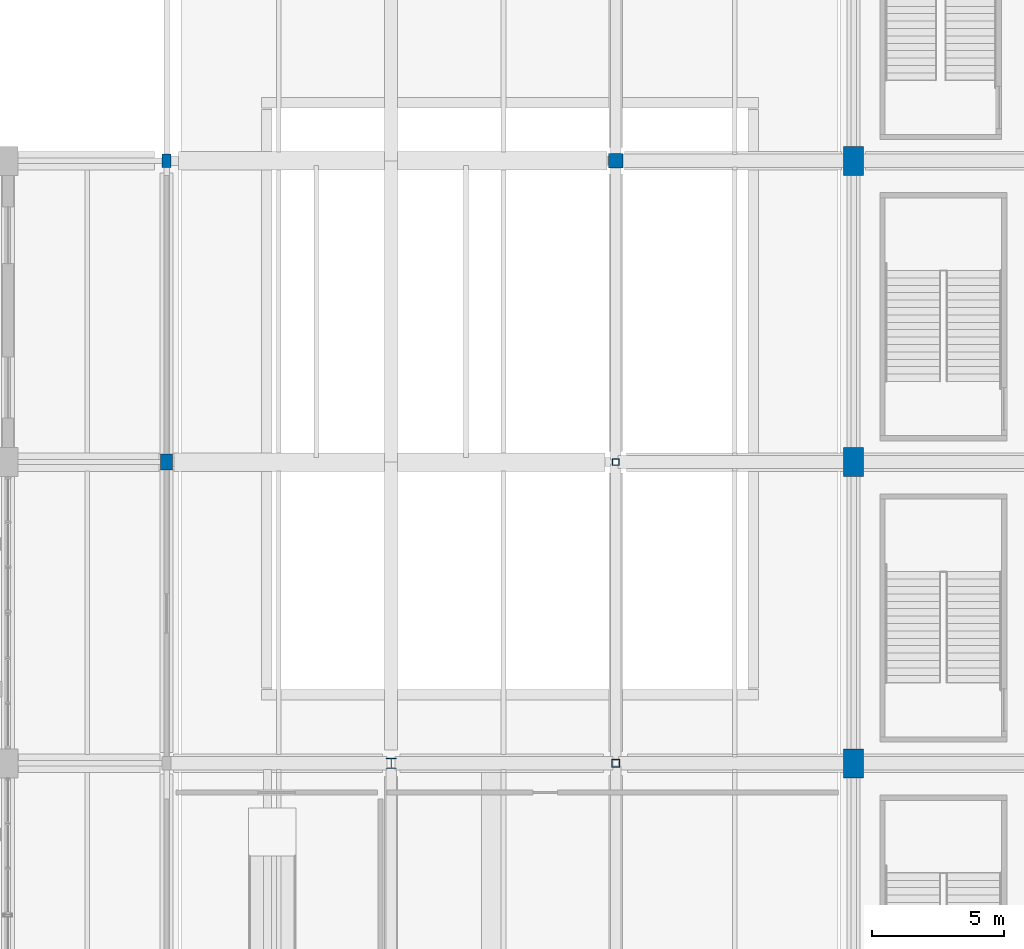
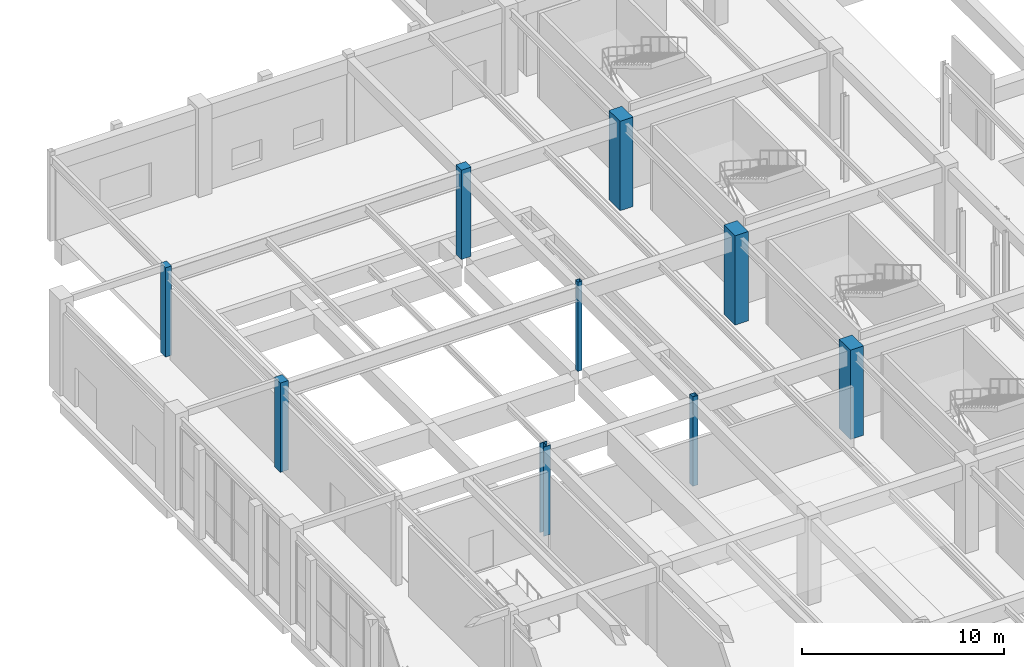
# One storey, part 15 of 113: 9 columns.
"""IFC4 building model written with IfcOpenShell, lengths in metres."""

from ifc_helpers import new_model, si_unit, direction, frame, origin, origin_2d, place, context, subcontext, project, spatial, rectangle, hollow_rectangle, i_section, extrude, material, material_profile, profile_set, type_object, element, save


model = new_model("IFC4")

# Units and contexts
model_context = context("Model", 3, precision=1e-05, world=origin(), true_north=direction((0.0, 1.0)))
body_context = subcontext(model_context, "Body", "Model", "MODEL_VIEW")
ifc_project = project(units=[si_unit("LENGTHUNIT", "METRE"), si_unit("AREAUNIT", "SQUARE_METRE"), si_unit("VOLUMEUNIT", "CUBIC_METRE"), si_unit("PLANEANGLEUNIT", "RADIAN"), si_unit("MASSUNIT", "GRAM", prefix="KILO"), si_unit("POWERUNIT", "WATT"), si_unit("THERMODYNAMICTEMPERATUREUNIT", "KELVIN")], contexts=[model_context])

# Site, building, storey
site_placement = place(None, origin())
site = spatial("IfcSite", under=ifc_project, at=site_placement, CompositionType="ELEMENT")
building_placement = place(site_placement, origin())
building = spatial("IfcBuilding", under=site, at=building_placement, Name="Kelmbourne Parkland Aquatics Centre", CompositionType="ELEMENT")
storey_placement = place(building_placement, origin())
storey = spatial("IfcBuildingStorey", under=building, at=storey_placement, Name="L00", CompositionType="ELEMENT", Elevation=0.0)

# Columns
ifc_material_1 = material(Name="Concrete C40/50", Category="concrete")
ifc_material_profile_1 = material_profile(ifc_material_1, rectangle(XDim=0.75, YDim=1.10009765625, at=origin_2d()), Name="RC 750x1100")
ifc_profile_set_1 = profile_set([ifc_material_profile_1], Name="Concrete C40/50")
column_type_1 = type_object("IfcColumnType", Name="COL-C03", PredefinedType="COLUMN", material=ifc_profile_set_1)
for number, where, z_axis, x_axis, name in (
    (1, (128.0, 69.199951171875, 0.0), (0.0, 0.0, 1.0), (1.0, 0.0, 0.0), "Structural column P-10 (L00)"),
    (2, (128.0, 80.60009765625, 0.0), (0.0, 0.0, 1.0), (1.0, 0.0, 0.0), "Structural column P-11 (L00)"),
    (3, (128.0, 92.0, 0.0), (0.0, 0.0, 1.0), (1.0, 0.0, 0.0), "Structural column P-12 (L00)"),
):
    element("IfcColumn", number, at=place(storey_placement, frame(where, z_axis=z_axis, x_axis=x_axis)), inside=storey, type_object=column_type_1, Name=name, PredefinedType="COLUMN", context=body_context, shape_type="SweptSolid", body=[
        extrude(rectangle(XDim=0.75, YDim=1.10009765625, at=origin_2d()), origin(), (0.0, 0.0, 1.0), 5.39990234375),
    ])
ifc_material_profile_2 = material_profile(ifc_material_1, rectangle(XDim=0.550048828125, YDim=0.550048828125, at=origin_2d()), Name="RC 550x550")
ifc_profile_set_2 = profile_set([ifc_material_profile_2], Name="Concrete C40/50")
column_type_2 = type_object("IfcColumnType", Name="COL-C07", PredefinedType="COLUMN", material=ifc_profile_set_2)
column_1_placement = place(storey_placement, frame((119.0, 92.0, 0.0), z_axis=(0.0, 0.0, 1.0), x_axis=(1.0, 0.0, 0.0)))
element("IfcColumn", 4, at=column_1_placement, inside=storey, type_object=column_type_2, Name="Structural column O-12 (L00)", PredefinedType="COLUMN", context=body_context, shape_type="SweptSolid", body=[
    extrude(rectangle(XDim=0.550048828125, YDim=0.550048828125, at=origin_2d()), origin(), (0.0, 0.0, 1.0), 5.39990234375),
])
ifc_material_2 = material(Name="Welded plate steel AS/NZS 3678 Grade 350", Category="steel")
ifc_material_profile_3 = material_profile(ifc_material_2, i_section(OverallWidth=0.39990234375, OverallDepth=0.404052734375, WebThickness=0.02001953125, FlangeThickness=0.031982421875, at=origin_2d()), Name="400WC270")
ifc_profile_set_3 = profile_set([ifc_material_profile_3], Name="Welded plate steel AS/NZS 3678 Grade 350")
column_type_3 = type_object("IfcColumnType", Name="COL-C12", PredefinedType="COLUMN", material=ifc_profile_set_3)
column_2_placement = place(storey_placement, frame((110.5, 69.199951171875, 0.0), z_axis=(0.0, 0.0, 1.0), x_axis=(1.0, 0.0, 0.0)))
element("IfcColumn", 5, at=column_2_placement, inside=storey, type_object=column_type_3, Name="Structural column N-10 (L00)", PredefinedType="COLUMN", context=body_context, shape_type="SweptSolid", body=[
    extrude(i_section(OverallWidth=0.39990234375, OverallDepth=0.404052734375, WebThickness=0.02001953125, FlangeThickness=0.031982421875, at=origin_2d()), origin(), (0.0, 0.0, 1.0), 5.39990234375),
])
ifc_material_3 = material(Name="Cold-formed hollow steel AS/NZS 1163 C350L0", Category="steel")
ifc_material_profile_4 = material_profile(ifc_material_3, hollow_rectangle(XDim=0.300048828125, YDim=0.300048828125, WallThickness=0.012451171875, at=origin_2d()), Name="SHS 300x300x12.5")
ifc_profile_set_4 = profile_set([ifc_material_profile_4], Name="Cold-formed hollow steel AS/NZS 1163 C350L0")
column_type_4 = type_object("IfcColumnType", Name="COL-C22", PredefinedType="COLUMN", material=ifc_profile_set_4)
column_3_placement = place(storey_placement, frame((119.0, 69.199951171875, 0.0), z_axis=(0.0, 0.0, 1.0), x_axis=(1.0, 0.0, 0.0)))
element("IfcColumn", 6, at=column_3_placement, inside=storey, type_object=column_type_4, Name="Structural column O-10 (L00)", PredefinedType="COLUMN", context=body_context, shape_type="SweptSolid", body=[
    extrude(hollow_rectangle(XDim=0.300048828125, YDim=0.300048828125, WallThickness=0.012451171875, at=origin_2d()), origin(), (0.0, 0.0, 1.0), 5.39990234375),
])
ifc_material_profile_5 = material_profile(ifc_material_3, hollow_rectangle(XDim=0.25, YDim=0.25, WallThickness=0.012451171875, at=origin_2d()), Name="SHS 250x250x12.5")
ifc_profile_set_5 = profile_set([ifc_material_profile_5], Name="Cold-formed hollow steel AS/NZS 1163 C350L0")
column_type_5 = type_object("IfcColumnType", Name="COL-C23", PredefinedType="COLUMN", material=ifc_profile_set_5)
column_4_placement = place(storey_placement, frame((119.0, 80.60009765625, 0.0), z_axis=(0.0, 0.0, 1.0), x_axis=(1.0, 0.0, 0.0)))
element("IfcColumn", 7, at=column_4_placement, inside=storey, type_object=column_type_5, Name="Structural column O-11 (L00)", PredefinedType="COLUMN", context=body_context, shape_type="SweptSolid", body=[
    extrude(hollow_rectangle(XDim=0.25, YDim=0.25, WallThickness=0.012451171875, at=origin_2d()), origin(), (0.0, 0.0, 1.0), 5.39990234375),
])
ifc_material_4 = material(Name="Clay brick masonry AS 3700 M12", Category="masonry")
ifc_material_profile_6 = material_profile(ifc_material_4, rectangle(XDim=0.35009765625, YDim=0.5, at=origin_2d()), Name="PIL 350x500")
ifc_profile_set_6 = profile_set([ifc_material_profile_6], Name="Clay brick masonry AS 3700 M12")
column_type_6 = type_object("IfcColumnType", Name="PIL-PL1", PredefinedType="PILASTER", material=ifc_profile_set_6)
column_5_placement = place(storey_placement, frame((102.0, 92.0, 0.0), z_axis=(0.0, 0.0, 1.0), x_axis=(1.0, 0.0, 0.0)))
element("IfcColumn", 8, at=column_5_placement, inside=storey, type_object=column_type_6, Name="Engaged brick pilaster M-12 (L00)", PredefinedType="PILASTER", context=body_context, shape_type="SweptSolid", body=[
    extrude(rectangle(XDim=0.35009765625, YDim=0.5, at=origin_2d()), origin(), (0.0, 0.0, 1.0), 5.39990234375),
])
ifc_material_profile_7 = material_profile(ifc_material_4, rectangle(XDim=0.449951171875, YDim=0.60009765625, at=origin_2d()), Name="PIL 450x600")
ifc_profile_set_7 = profile_set([ifc_material_profile_7], Name="Clay brick masonry AS 3700 M12")
column_type_7 = type_object("IfcColumnType", Name="PIL-PL2", PredefinedType="PILASTER", material=ifc_profile_set_7)
column_6_placement = place(storey_placement, frame((102.0, 80.60009765625, 0.0), z_axis=(0.0, 0.0, 1.0), x_axis=(1.0, 0.0, 0.0)))
element("IfcColumn", 9, at=column_6_placement, inside=storey, type_object=column_type_7, Name="Engaged brick pilaster M-11 (L00)", PredefinedType="PILASTER", context=body_context, shape_type="SweptSolid", body=[
    extrude(rectangle(XDim=0.449951171875, YDim=0.60009765625, at=origin_2d()), origin(), (0.0, 0.0, 1.0), 5.39990234375),
])

save(model, "model.ifc")
